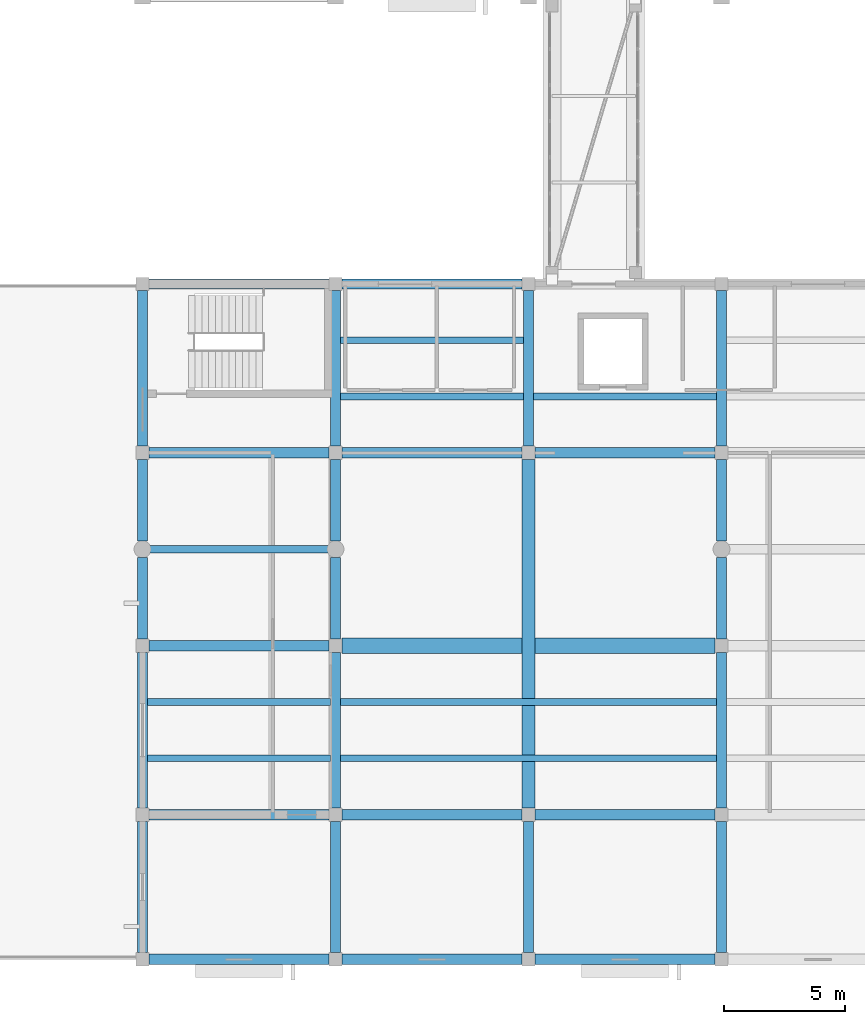
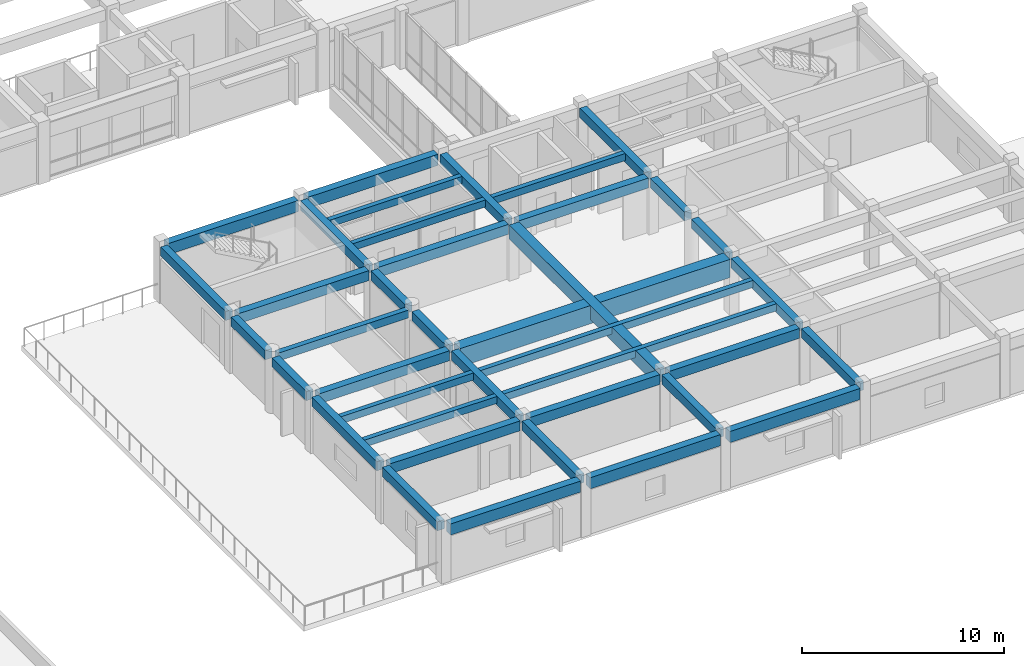
# One storey, part 5 of 42: 39 beams.
"""IFC4 building model written with IfcOpenShell, lengths in metres."""

from ifc_helpers import new_model, si_unit, direction, frame, origin, origin_2d, place, context, subcontext, project, spatial, rectangle, extrude, material, material_profile, profile_set, type_object, element, save


model = new_model("IFC4")

# Units and contexts
model_context = context("Model", 3, precision=1e-05, world=origin(), true_north=direction((0.0, 1.0)))
body_context = subcontext(model_context, "Body", "Model", "MODEL_VIEW")
ifc_project = project(units=[si_unit("LENGTHUNIT", "METRE"), si_unit("AREAUNIT", "SQUARE_METRE"), si_unit("VOLUMEUNIT", "CUBIC_METRE"), si_unit("PLANEANGLEUNIT", "RADIAN"), si_unit("MASSUNIT", "GRAM", prefix="KILO")], contexts=[model_context])

# Site, building, storey
site_placement = place(None, origin())
site = spatial("IfcSite", under=ifc_project, at=site_placement, CompositionType="ELEMENT")
building_placement = place(site_placement, origin())
building = spatial("IfcBuilding", under=site, at=building_placement, Name="Naurynzar Civic Courthouse", CompositionType="ELEMENT")
storey_placement = place(building_placement, frame((0.0, 0.0, 18.300048828125)))
storey = spatial("IfcBuildingStorey", under=building, at=storey_placement, Name="L05", CompositionType="ELEMENT", Elevation=18.300048828125)

# Beams
ifc_material_1 = material(Name="Concrete C40/50", Category="concrete")
ifc_material_profile_1 = material_profile(ifc_material_1, rectangle(XDim=0.27490234375, YDim=0.425048828125, at=origin_2d()), Name="RCB 275x425")
ifc_profile_set_1 = profile_set([ifc_material_profile_1], Name="Concrete C40/50")
beam_type_1 = type_object("IfcBeamType", Name="BM-JST-275x425", PredefinedType="JOIST", material=ifc_profile_set_1)
for number, where, z_axis, x_axis, name in (
    (1, (77.199951171875, 12.333251953125, 3.197509765625), (1.0, 0.0, 0.0), (0.0, 1.0, 0.0), "V3 secondary rib 1618 L05"),
    (2, (77.199951171875, 14.666748046875, 3.197509765625), (1.0, 0.0, 0.0), (0.0, 1.0, 0.0), "V3 secondary rib 1619 L05"),
):
    element("IfcBeam", number, at=place(storey_placement, frame(where, z_axis=z_axis, x_axis=x_axis)), inside=storey, type_object=beam_type_1, Name=name, PredefinedType="JOIST", context=body_context, shape_type="SweptSolid", body=[
        extrude(rectangle(XDim=0.27490234375, YDim=0.425048828125, at=origin_2d()), origin(), (0.0, 0.0, 1.0), 7.60009765625),
    ])
for number, where, z_axis, x_axis, name in (
    (3, (85.199951171875, 12.333251953125, 3.197509765625), (1.0, 0.0, 0.0), (0.0, 1.0, 0.0), "V3 secondary rib 1620 L05"),
    (4, (85.199951171875, 14.666748046875, 3.197509765625), (1.0, 0.0, 0.0), (0.0, 1.0, 0.0), "V3 secondary rib 1621 L05"),
):
    element("IfcBeam", number, at=place(storey_placement, frame(where, z_axis=z_axis, x_axis=x_axis)), inside=storey, type_object=beam_type_1, Name=name, PredefinedType="JOIST", context=body_context, shape_type="SweptSolid", body=[
        extrude(rectangle(XDim=0.27490234375, YDim=0.425048828125, at=origin_2d()), origin(), (0.0, 0.0, 1.0), 15.60009765625),
    ])
for number, where, z_axis, x_axis, name in (
    (5, (85.199951171875, 27.333251953125, 3.197509765625), (1.0, 0.0, 0.0), (0.0, 1.0, 0.0), "V3 secondary rib 1626 L05"),
    (6, (85.199951171875, 29.666748046875, 3.197509765625), (1.0, 0.0, 0.0), (0.0, 1.0, 0.0), "V3 secondary rib 1627 L05"),
    (7, (93.199951171875, 27.333251953125, 3.197509765625), (1.0, 0.0, 0.0), (0.0, 1.0, 0.0), "V3 secondary rib 1628 L05"),
):
    element("IfcBeam", number, at=place(storey_placement, frame(where, z_axis=z_axis, x_axis=x_axis)), inside=storey, type_object=beam_type_1, Name=name, PredefinedType="JOIST", context=body_context, shape_type="SweptSolid", body=[
        extrude(rectangle(XDim=0.27490234375, YDim=0.425048828125, at=origin_2d()), origin(), (0.0, 0.0, 1.0), 7.60009765625),
    ])
ifc_material_2 = material(Name="Concrete C40/50", Category="concrete")
ifc_material_profile_2 = material_profile(ifc_material_2, rectangle(XDim=0.300048828125, YDim=0.47509765625, at=origin_2d()), Name="RCB 300x475")
ifc_profile_set_2 = profile_set([ifc_material_profile_2], Name="Concrete C40/50")
beam_type_2 = type_object("IfcBeamType", Name="BM-LNT-300x475", PredefinedType="LINTEL", material=ifc_profile_set_2)
beam_1_placement = place(storey_placement, frame((77.25, 21.0, 3.17236328125), z_axis=(1.0, 0.0, 0.0), x_axis=(0.0, 1.0, 0.0)))
element("IfcBeam", 8, at=beam_1_placement, inside=storey, type_object=beam_type_2, Name="Law Library spine lintel beam 9", PredefinedType="LINTEL", context=body_context, shape_type="SweptSolid", body=[
    extrude(rectangle(XDim=0.300048828125, YDim=0.47509765625, at=origin_2d()), origin(), (0.0, 0.0, 1.0), 7.5),
])
ifc_material_3 = material(Name="Concrete C40/50", Category="concrete")
ifc_material_profile_3 = material_profile(ifc_material_3, rectangle(XDim=0.550048828125, YDim=0.85009765625, at=origin_2d()), Name="PTB 550x850")
ifc_profile_set_3 = profile_set([ifc_material_profile_3], Name="Concrete C40/50")
beam_type_3 = type_object("IfcBeamType", Name="BM-PT-550x850", PredefinedType="T_BEAM", material=ifc_profile_set_3)
beam_2_placement = place(storey_placement, frame((93.0, 10.27490234375, 2.98486328125), z_axis=(0.0, 1.0, 0.0), x_axis=(-1.0, 0.0, 0.0)))
element("IfcBeam", 9, at=beam_2_placement, inside=storey, type_object=beam_type_3, Name="V3 girder Y-1602 L05", PredefinedType="T_BEAM", context=body_context, shape_type="SweptSolid", body=[
    extrude(rectangle(XDim=0.550048828125, YDim=0.85009765625, at=origin_2d()), origin(), (0.0, 0.0, 1.0), 14.4501953125),
])
ifc_material_4 = material(Name="Concrete C40/50", Category="concrete")
ifc_material_profile_4 = material_profile(ifc_material_4, rectangle(XDim=0.64990234375, YDim=1.10009765625, at=origin_2d()), Name="PTB 650x1100")
ifc_profile_set_4 = profile_set([ifc_material_profile_4], Name="Concrete C40/50")
beam_type_4 = type_object("IfcBeamType", Name="BM-PT-650x1100", PredefinedType="T_BEAM", material=ifc_profile_set_4)
beam_3_placement = place(storey_placement, frame((85.27490234375, 17.0, 2.85986328125), z_axis=(1.0, 0.0, 0.0), x_axis=(0.0, 1.0, 0.0)))
element("IfcBeam", 10, at=beam_3_placement, inside=storey, type_object=beam_type_4, Name="V3 beam X-1578 L05", PredefinedType="T_BEAM", context=body_context, shape_type="SweptSolid", body=[
    extrude(rectangle(XDim=0.64990234375, YDim=1.10009765625, at=origin_2d()), origin(), (0.0, 0.0, 1.0), 15.4501953125),
])
ifc_material_5 = material(Name="Concrete C40/50", Category="concrete")
ifc_material_profile_5 = material_profile(ifc_material_5, rectangle(XDim=0.39990234375, YDim=0.550048828125, at=origin_2d()), Name="RCB 400x550")
ifc_profile_set_5 = profile_set([ifc_material_profile_5], Name="Concrete C40/50")
beam_type_5 = type_object("IfcBeamType", Name="BM-RC-400x550", PredefinedType="BEAM", material=ifc_profile_set_5)
beam_4_placement = place(storey_placement, frame((77.0, 4.27490234375, 3.135009765625), z_axis=(0.0, 1.0, 0.0), x_axis=(-1.0, 0.0, 0.0)))
element("IfcBeam", 11, at=beam_4_placement, inside=storey, type_object=beam_type_5, Name="V3 girder Y-1591 L05", PredefinedType="BEAM", context=body_context, shape_type="SweptSolid", body=[
    extrude(rectangle(XDim=0.39990234375, YDim=0.550048828125, at=origin_2d()), origin(), (0.0, 0.0, 1.0), 5.4501953125),
])
beam_5_placement = place(storey_placement, frame((77.0, 10.27490234375, 3.135009765625), z_axis=(0.0, 1.0, 0.0), x_axis=(-1.0, 0.0, 0.0)))
element("IfcBeam", 12, at=beam_5_placement, inside=storey, type_object=beam_type_5, Name="V3 girder Y-1592 L05", PredefinedType="BEAM", context=body_context, shape_type="SweptSolid", body=[
    extrude(rectangle(XDim=0.39990234375, YDim=0.550048828125, at=origin_2d()), origin(), (0.0, 0.0, 1.0), 6.4501953125),
])
for number, where, z_axis, x_axis, name in (
    (13, (77.0, 17.27490234375, 3.135009765625), (0.0, 1.0, 0.0), (-1.0, 0.0, 0.0), "V3 girder Y-1593 L05"),
    (14, (77.0, 21.35009765625, 3.135009765625), (0.0, 1.0, 0.0), (-1.0, 0.0, 0.0), "V3 girder Y-1594 L05"),
):
    element("IfcBeam", number, at=place(storey_placement, frame(where, z_axis=z_axis, x_axis=x_axis)), inside=storey, type_object=beam_type_5, Name=name, PredefinedType="BEAM", context=body_context, shape_type="SweptSolid", body=[
        extrude(rectangle(XDim=0.39990234375, YDim=0.550048828125, at=origin_2d()), origin(), (0.0, 0.0, 1.0), 3.375),
    ])
beam_6_placement = place(storey_placement, frame((77.0, 25.27490234375, 3.135009765625), z_axis=(0.0, 1.0, 0.0), x_axis=(-1.0, 0.0, 0.0)))
element("IfcBeam", 15, at=beam_6_placement, inside=storey, type_object=beam_type_5, Name="V3 girder Y-1595 L05", PredefinedType="BEAM", context=body_context, shape_type="SweptSolid", body=[
    extrude(rectangle(XDim=0.39990234375, YDim=0.550048828125, at=origin_2d()), origin(), (0.0, 0.0, 1.0), 6.4501953125),
])
beam_7_placement = place(storey_placement, frame((85.0, 4.27490234375, 3.135009765625), z_axis=(0.0, 1.0, 0.0), x_axis=(-1.0, 0.0, 0.0)))
element("IfcBeam", 16, at=beam_7_placement, inside=storey, type_object=beam_type_5, Name="V3 girder Y-1596 L05", PredefinedType="BEAM", context=body_context, shape_type="SweptSolid", body=[
    extrude(rectangle(XDim=0.39990234375, YDim=0.550048828125, at=origin_2d()), origin(), (0.0, 0.0, 1.0), 5.4501953125),
])
beam_8_placement = place(storey_placement, frame((85.0, 10.27490234375, 3.135009765625), z_axis=(0.0, 1.0, 0.0), x_axis=(-1.0, 0.0, 0.0)))
element("IfcBeam", 17, at=beam_8_placement, inside=storey, type_object=beam_type_5, Name="V3 girder Y-1597 L05", PredefinedType="BEAM", context=body_context, shape_type="SweptSolid", body=[
    extrude(rectangle(XDim=0.39990234375, YDim=0.550048828125, at=origin_2d()), origin(), (0.0, 0.0, 1.0), 6.4501953125),
])
for number, where, z_axis, x_axis, name in (
    (18, (85.0, 17.27490234375, 3.135009765625), (0.0, 1.0, 0.0), (-1.0, 0.0, 0.0), "V3 girder Y-1598 L05"),
    (19, (85.0, 21.35009765625, 3.135009765625), (0.0, 1.0, 0.0), (-1.0, 0.0, 0.0), "V3 girder Y-1599 L05"),
):
    element("IfcBeam", number, at=place(storey_placement, frame(where, z_axis=z_axis, x_axis=x_axis)), inside=storey, type_object=beam_type_5, Name=name, PredefinedType="BEAM", context=body_context, shape_type="SweptSolid", body=[
        extrude(rectangle(XDim=0.39990234375, YDim=0.550048828125, at=origin_2d()), origin(), (0.0, 0.0, 1.0), 3.375),
    ])
beam_9_placement = place(storey_placement, frame((85.0, 25.27490234375, 3.135009765625), z_axis=(0.0, 1.0, 0.0), x_axis=(-1.0, 0.0, 0.0)))
element("IfcBeam", 20, at=beam_9_placement, inside=storey, type_object=beam_type_5, Name="V3 girder Y-1600 L05", PredefinedType="BEAM", context=body_context, shape_type="SweptSolid", body=[
    extrude(rectangle(XDim=0.39990234375, YDim=0.550048828125, at=origin_2d()), origin(), (0.0, 0.0, 1.0), 6.4501953125),
])
beam_10_placement = place(storey_placement, frame((93.0, 4.27490234375, 3.135009765625), z_axis=(0.0, 1.0, 0.0), x_axis=(-1.0, 0.0, 0.0)))
element("IfcBeam", 21, at=beam_10_placement, inside=storey, type_object=beam_type_5, Name="V3 girder Y-1601 L05", PredefinedType="BEAM", context=body_context, shape_type="SweptSolid", body=[
    extrude(rectangle(XDim=0.39990234375, YDim=0.550048828125, at=origin_2d()), origin(), (0.0, 0.0, 1.0), 5.4501953125),
])
beam_11_placement = place(storey_placement, frame((93.0, 25.27490234375, 3.135009765625), z_axis=(0.0, 1.0, 0.0), x_axis=(-1.0, 0.0, 0.0)))
element("IfcBeam", 22, at=beam_11_placement, inside=storey, type_object=beam_type_5, Name="V3 girder Y-1603 L05", PredefinedType="BEAM", context=body_context, shape_type="SweptSolid", body=[
    extrude(rectangle(XDim=0.39990234375, YDim=0.550048828125, at=origin_2d()), origin(), (0.0, 0.0, 1.0), 6.4501953125),
])
beam_12_placement = place(storey_placement, frame((101.0, 4.27490234375, 3.135009765625), z_axis=(0.0, 1.0, 0.0), x_axis=(-1.0, 0.0, 0.0)))
element("IfcBeam", 23, at=beam_12_placement, inside=storey, type_object=beam_type_5, Name="V3 girder Y-1604 L05", PredefinedType="BEAM", context=body_context, shape_type="SweptSolid", body=[
    extrude(rectangle(XDim=0.39990234375, YDim=0.550048828125, at=origin_2d()), origin(), (0.0, 0.0, 1.0), 5.4501953125),
])
beam_13_placement = place(storey_placement, frame((101.0, 10.27490234375, 3.135009765625), z_axis=(0.0, 1.0, 0.0), x_axis=(-1.0, 0.0, 0.0)))
element("IfcBeam", 24, at=beam_13_placement, inside=storey, type_object=beam_type_5, Name="V3 girder Y-1605 L05", PredefinedType="BEAM", context=body_context, shape_type="SweptSolid", body=[
    extrude(rectangle(XDim=0.39990234375, YDim=0.550048828125, at=origin_2d()), origin(), (0.0, 0.0, 1.0), 6.4501953125),
])
for number, where, z_axis, x_axis, name in (
    (25, (101.0, 17.27490234375, 3.135009765625), (0.0, 1.0, 0.0), (-1.0, 0.0, 0.0), "V3 girder Y-1606 L05"),
    (26, (101.0, 21.35009765625, 3.135009765625), (0.0, 1.0, 0.0), (-1.0, 0.0, 0.0), "V3 girder Y-1607 L05"),
):
    element("IfcBeam", number, at=place(storey_placement, frame(where, z_axis=z_axis, x_axis=x_axis)), inside=storey, type_object=beam_type_5, Name=name, PredefinedType="BEAM", context=body_context, shape_type="SweptSolid", body=[
        extrude(rectangle(XDim=0.39990234375, YDim=0.550048828125, at=origin_2d()), origin(), (0.0, 0.0, 1.0), 3.375),
    ])
beam_14_placement = place(storey_placement, frame((101.0, 25.27490234375, 3.135009765625), z_axis=(0.0, 1.0, 0.0), x_axis=(-1.0, 0.0, 0.0)))
element("IfcBeam", 27, at=beam_14_placement, inside=storey, type_object=beam_type_5, Name="V3 girder Y-1608 L05", PredefinedType="BEAM", context=body_context, shape_type="SweptSolid", body=[
    extrude(rectangle(XDim=0.39990234375, YDim=0.550048828125, at=origin_2d()), origin(), (0.0, 0.0, 1.0), 6.4501953125),
])
ifc_material_6 = material(Name="Concrete C40/50", Category="concrete")
ifc_material_profile_6 = material_profile(ifc_material_6, rectangle(XDim=0.425048828125, YDim=0.60009765625, at=origin_2d()), Name="RCB 425x600")
ifc_profile_set_6 = profile_set([ifc_material_profile_6], Name="Concrete C40/50")
beam_type_6 = type_object("IfcBeamType", Name="BM-RC-425x600", PredefinedType="BEAM", material=ifc_profile_set_6)
for number, where, z_axis, x_axis, name in (
    (28, (77.27490234375, 10.0, 3.10986328125), (1.0, 0.0, 0.0), (0.0, 1.0, 0.0), "V3 beam X-1572 L05"),
    (29, (85.27490234375, 10.0, 3.10986328125), (1.0, 0.0, 0.0), (0.0, 1.0, 0.0), "V3 beam X-1573 L05"),
    (30, (93.27490234375, 10.0, 3.10986328125), (1.0, 0.0, 0.0), (0.0, 1.0, 0.0), "V3 beam X-1574 L05"),
    (31, (77.27490234375, 17.0, 3.10986328125), (1.0, 0.0, 0.0), (0.0, 1.0, 0.0), "V3 beam X-1577 L05"),
    (32, (77.27490234375, 25.0, 3.10986328125), (1.0, 0.0, 0.0), (0.0, 1.0, 0.0), "V3 beam X-1581 L05"),
    (33, (85.27490234375, 25.0, 3.10986328125), (1.0, 0.0, 0.0), (0.0, 1.0, 0.0), "V3 beam X-1582 L05"),
    (34, (93.27490234375, 25.0, 3.10986328125), (1.0, 0.0, 0.0), (0.0, 1.0, 0.0), "V3 beam X-1583 L05"),
):
    element("IfcBeam", number, at=place(storey_placement, frame(where, z_axis=z_axis, x_axis=x_axis)), inside=storey, type_object=beam_type_6, Name=name, PredefinedType="BEAM", context=body_context, shape_type="SweptSolid", body=[
        extrude(rectangle(XDim=0.425048828125, YDim=0.60009765625, at=origin_2d()), origin(), (0.0, 0.0, 1.0), 7.4501953125),
    ])
ifc_material_7 = material(Name="Concrete C40/50", Category="concrete")
ifc_material_profile_7 = material_profile(ifc_material_7, rectangle(XDim=0.425048828125, YDim=0.675048828125, at=origin_2d()), Name="RCB 425x675")
ifc_profile_set_7 = profile_set([ifc_material_profile_7], Name="Concrete C40/50")
beam_type_7 = type_object("IfcBeamType", Name="BM-RC-425x675", PredefinedType="SPANDREL", material=ifc_profile_set_7)
for number, where, z_axis, x_axis, name in (
    (35, (77.27490234375, 4.0, 3.072509765625), (1.0, 0.0, 0.0), (0.0, 1.0, 0.0), "V3 beam X-1567 L05"),
    (36, (85.27490234375, 4.0, 3.072509765625), (1.0, 0.0, 0.0), (0.0, 1.0, 0.0), "V3 beam X-1568 L05"),
    (37, (93.27490234375, 4.0, 3.072509765625), (1.0, 0.0, 0.0), (0.0, 1.0, 0.0), "V3 beam X-1569 L05"),
    (38, (77.27490234375, 32.0, 3.072509765625), (1.0, 0.0, 0.0), (0.0, 1.0, 0.0), "V3 beam X-1586 L05"),
    (39, (85.27490234375, 32.0, 3.072509765625), (1.0, 0.0, 0.0), (0.0, 1.0, 0.0), "V3 beam X-1587 L05"),
):
    element("IfcBeam", number, at=place(storey_placement, frame(where, z_axis=z_axis, x_axis=x_axis)), inside=storey, type_object=beam_type_7, Name=name, PredefinedType="SPANDREL", context=body_context, shape_type="SweptSolid", body=[
        extrude(rectangle(XDim=0.425048828125, YDim=0.675048828125, at=origin_2d()), origin(), (0.0, 0.0, 1.0), 7.4501953125),
    ])

save(model, "model.ifc")
